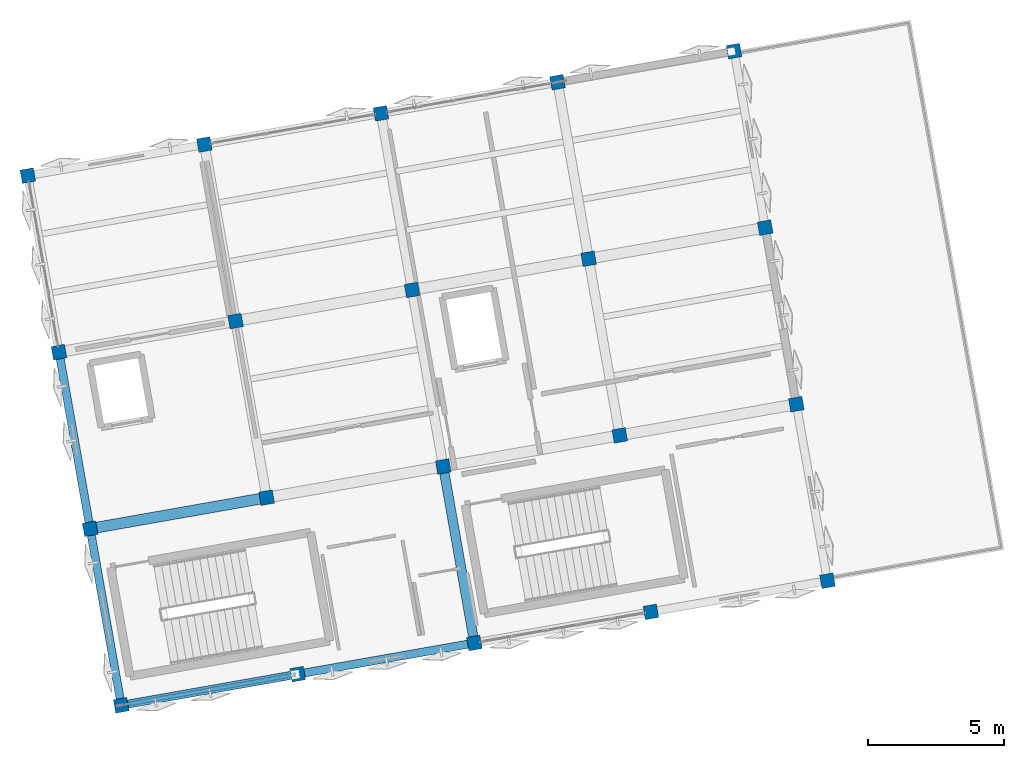
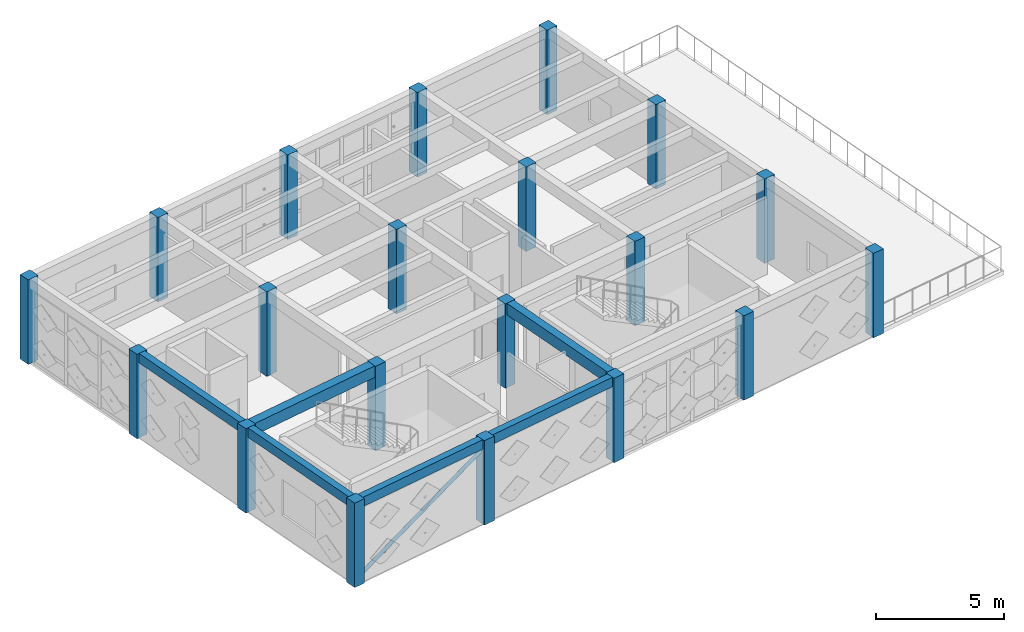
# One storey, part 1 of 13: 20 columns, 6 beams, 1 member.
"""IFC4 building model written with IfcOpenShell, lengths in metres."""

from ifc_helpers import new_model, si_unit, direction, frame, origin, origin_2d, place, context, subcontext, project, spatial, rectangle, hollow_circle, extrude, material, material_profile, profile_set, type_object, element, save


model = new_model("IFC4")

# Units and contexts
model_context = context("Model", 3, precision=1e-05, world=origin(), true_north=direction((0.0, 1.0)))
body_context = subcontext(model_context, "Body", "Model", "MODEL_VIEW")
ifc_project = project(units=[si_unit("LENGTHUNIT", "METRE"), si_unit("AREAUNIT", "SQUARE_METRE"), si_unit("VOLUMEUNIT", "CUBIC_METRE"), si_unit("PLANEANGLEUNIT", "RADIAN"), si_unit("MASSUNIT", "GRAM", prefix="KILO")], contexts=[model_context])

# Site, building, storey
site_placement = place(None, origin())
site = spatial("IfcSite", under=ifc_project, at=site_placement, CompositionType="ELEMENT")
building_placement = place(site_placement, origin())
building = spatial("IfcBuilding", under=site, at=building_placement, Name="Kharisveld Research Institute", CompositionType="ELEMENT")
storey_placement = place(building_placement, frame((0.0, 0.0, 45.0)))
storey = spatial("IfcBuildingStorey", under=building, at=storey_placement, Name="L10", CompositionType="ELEMENT", Elevation=45.0)

# Columns
ifc_material_1 = material(Name="Concrete C40/50", Category="concrete")
ifc_material_profile_1 = material_profile(ifc_material_1, rectangle(XDim=0.5, YDim=0.5, at=origin_2d()))
ifc_profile_set_1 = profile_set([ifc_material_profile_1], Name="Concrete C40/50")
column_type = type_object("IfcColumnType", Name="COL_RC_500", PredefinedType="COLUMN", material=ifc_profile_set_1)
for number, where, z_axis, x_axis, name in (
    (1, (5.199951171875, 35.010009765625, 0.0), (0.0, 0.0, 1.0), (0.984807753012, 0.173648177667, 0.0), "COL:V1:L10:U0V0"),
    (2, (4.053955078125, 41.509765625, 0.0), (0.0, 0.0, 1.0), (0.984807753012, 0.173648177667, 0.0), "COL:V1:L10:U0V1"),
    (3, (2.907958984375, 48.009521484375, 0.0), (0.0, 0.0, 1.0), (0.984807753012, 0.173648177667, 0.0), "COL:V1:L10:U0V2"),
    (4, (1.76171875, 54.50927734375, 0.0), (0.0, 0.0, 1.0), (0.984807753012, 0.173648177667, 0.0), "COL:V1:L10:U0V3"),
    (5, (11.69970703125, 36.156005859375, 0.0), (0.0, 0.0, 1.0), (0.984807753012, 0.173648177667, 0.0), "COL:V1:L10:U1V0"),
    (6, (10.5537109375, 42.65576171875, 0.0), (0.0, 0.0, 1.0), (0.984807753012, 0.173648177667, 0.0), "COL:V1:L10:U1V1"),
    (7, (9.407470703125, 49.155517578125, 0.0), (0.0, 0.0, 1.0), (0.984807753012, 0.173648177667, 0.0), "COL:V1:L10:U1V2"),
    (8, (8.261474609375, 55.6552734375, 0.0), (0.0, 0.0, 1.0), (0.984807753012, 0.173648177667, 0.0), "COL:V1:L10:U1V3"),
    (9, (18.199462890625, 37.30224609375, 0.0), (0.0, 0.0, 1.0), (0.984807753012, 0.173648177667, 0.0), "COL:V1:L10:U2V0"),
    (10, (17.053466796875, 43.802001953125, 0.0), (0.0, 0.0, 1.0), (0.984807753012, 0.173648177667, 0.0), "COL:V1:L10:U2V1"),
    (11, (15.9072265625, 50.301513671875, 0.0), (0.0, 0.0, 1.0), (0.984807753012, 0.173648177667, 0.0), "COL:V1:L10:U2V2"),
    (12, (14.76123046875, 56.80126953125, 0.0), (0.0, 0.0, 1.0), (0.984807753012, 0.173648177667, 0.0), "COL:V1:L10:U2V3"),
    (13, (24.69921875, 38.4482421875, 0.0), (0.0, 0.0, 1.0), (0.984807753012, 0.173648177667, 0.0), "COL:V1:L10:U3V0"),
    (14, (23.55322265625, 44.947998046875, 0.0), (0.0, 0.0, 1.0), (0.984807753012, 0.173648177667, 0.0), "COL:V1:L10:U3V1"),
    (15, (22.406982421875, 51.44775390625, 0.0), (0.0, 0.0, 1.0), (0.984807753012, 0.173648177667, 0.0), "COL:V1:L10:U3V2"),
    (16, (21.260986328125, 57.947509765625, 0.0), (0.0, 0.0, 1.0), (0.984807753012, 0.173648177667, 0.0), "COL:V1:L10:U3V3"),
    (17, (31.198974609375, 39.59423828125, 0.0), (0.0, 0.0, 1.0), (0.984807753012, 0.173648177667, 0.0), "COL:V1:L10:U4V0"),
    (18, (30.052734375, 46.093994140625, 0.0), (0.0, 0.0, 1.0), (0.984807753012, 0.173648177667, 0.0), "COL:V1:L10:U4V1"),
    (19, (28.90673828125, 52.59375, 0.0), (0.0, 0.0, 1.0), (0.984807753012, 0.173648177667, 0.0), "COL:V1:L10:U4V2"),
    (20, (27.7607421875, 59.093505859375, 0.0), (0.0, 0.0, 1.0), (0.984807753012, 0.173648177667, 0.0), "COL:V1:L10:U4V3"),
):
    element("IfcColumn", number, at=place(storey_placement, frame(where, z_axis=z_axis, x_axis=x_axis)), inside=storey, type_object=column_type, Name=name, PredefinedType="COLUMN", context=body_context, shape_type="SweptSolid", body=[
        extrude(rectangle(XDim=0.5, YDim=0.5, at=origin_2d()), origin(), (0.0, 0.0, 1.0), 4.02001953125),
    ])

# Beams
ifc_material_2 = material(Name="Concrete C40/50", Category="concrete")
ifc_material_profile_2 = material_profile(ifc_material_2, rectangle(XDim=0.35009765625, YDim=0.550048828125, at=origin_2d()))
ifc_profile_set_2 = profile_set([ifc_material_profile_2], Name="Concrete C40/50")
beam_type_1 = type_object("IfcBeamType", Name="BM_RC_350x550", PredefinedType="BEAM", material=ifc_profile_set_2)
beam_1_placement = place(storey_placement, frame((18.156005859375, 37.54833984375, 3.7451171875), z_axis=(-0.173659757005, 0.984805711192, 0.0), x_axis=(-0.984805711192, -0.173659757005, 0.0)))
element("IfcBeam", 21, at=beam_1_placement, inside=storey, type_object=beam_type_1, Name="BM:V1:L10:V2_0", PredefinedType="BEAM", context=body_context, shape_type="SweptSolid", body=[
    extrude(rectangle(XDim=0.35009765625, YDim=0.550048828125, at=origin_2d()), origin(), (0.0, 0.0, 1.0), 6.10009765625),
])
ifc_material_3 = material(Name="Concrete C40/50", Category="concrete")
ifc_material_profile_3 = material_profile(ifc_material_3, rectangle(XDim=0.39990234375, YDim=0.550048828125, at=origin_2d()))
ifc_profile_set_3 = profile_set([ifc_material_profile_3], Name="Concrete C40/50")
beam_type_2 = type_object("IfcBeamType", Name="BM_RC_400x550", PredefinedType="BEAM", material=ifc_profile_set_3)
beam_2_placement = place(storey_placement, frame((4.300048828125, 41.55322265625, 3.7451171875), z_axis=(0.984812555252, 0.173620940611, 0.0), x_axis=(-0.173620940611, 0.984812555252, 0.0)))
element("IfcBeam", 22, at=beam_2_placement, inside=storey, type_object=beam_type_2, Name="BM:V1:L10:U0_1", PredefinedType="BEAM", context=body_context, shape_type="SweptSolid", body=[
    extrude(rectangle(XDim=0.39990234375, YDim=0.550048828125, at=origin_2d()), origin(), (0.0, 0.0, 1.0), 6.099853515625),
])

# Member
ifc_material_4 = material(Name="Steel S355J2H", Category="steel")
ifc_material_profile_4 = material_profile(ifc_material_4, hollow_circle(Radius=0.084228515625, WallThickness=0.008056640625, at=origin_2d()))
ifc_profile_set_4 = profile_set([ifc_material_profile_4], Name="Steel S355J2H")
member_type = type_object("IfcMemberType", Name="BR_CHS168", PredefinedType="BRACE", material=ifc_profile_set_4)
member_placement = place(storey_placement, frame((5.298583984375, 35.02734375, 0.199951171875), z_axis=(0.876966834258, 0.154630966437, 0.454992786569), x_axis=(-0.173646056486, 0.984808127031, 0.0)))
element("IfcMember", 23, at=member_placement, inside=storey, type_object=member_type, Name="MEM:V1:L10:BR_0_0", PredefinedType="BRACE", context=body_context, shape_type="SweptSolid", body=[
    extrude(hollow_circle(Radius=0.084228515625, WallThickness=0.008056640625, at=origin_2d()), origin(), (0.0, 0.0, 1.0), 7.18701171875),
])

# Beams
ifc_material_5 = material(Name="Concrete C40/50", Category="concrete")
ifc_material_profile_5 = material_profile(ifc_material_5, rectangle(XDim=0.300048828125, YDim=0.449951171875, at=origin_2d()))
ifc_profile_set_5 = profile_set([ifc_material_profile_5], Name="Concrete C40/50")
beam_type_3 = type_object("IfcBeamType", Name="SP_RC_300x450", PredefinedType="SPANDREL", material=ifc_profile_set_5)
beam_3_placement = place(storey_placement, frame((5.4462890625, 35.053466796875, 3.794921875), z_axis=(0.984812555252, 0.173620940611, 0.0), x_axis=(-0.173620940611, 0.984812555252, 0.0)))
element("IfcBeam", 24, at=beam_3_placement, inside=storey, type_object=beam_type_3, Name="BM:V1:L10:U0_0", PredefinedType="SPANDREL", context=body_context, shape_type="SweptSolid", body=[
    extrude(rectangle(XDim=0.300048828125, YDim=0.449951171875, at=origin_2d()), origin(), (0.0, 0.0, 1.0), 6.099853515625),
])
beam_4_placement = place(storey_placement, frame((11.946044921875, 36.199462890625, 3.794921875), z_axis=(0.984805711192, 0.173659757005, 0.0), x_axis=(-0.173659757005, 0.984805711192, 0.0)))
element("IfcBeam", 25, at=beam_4_placement, inside=storey, type_object=beam_type_3, Name="BM:V1:L10:U1_0", PredefinedType="SPANDREL", context=body_context, shape_type="SweptSolid", body=[
    extrude(rectangle(XDim=0.300048828125, YDim=0.449951171875, at=origin_2d()), origin(), (0.0, 0.0, 1.0), 6.10009765625),
])
beam_5_placement = place(storey_placement, frame((5.156494140625, 35.256103515625, 3.794921875), z_axis=(-0.173620940611, 0.984812555252, 0.0), x_axis=(-0.984812555252, -0.173620940611, 0.0)))
element("IfcBeam", 26, at=beam_5_placement, inside=storey, type_object=beam_type_3, Name="BM:V1:L10:V0_0", PredefinedType="SPANDREL", context=body_context, shape_type="SweptSolid", body=[
    extrude(rectangle(XDim=0.300048828125, YDim=0.449951171875, at=origin_2d()), origin(), (0.0, 0.0, 1.0), 6.099853515625),
])
beam_6_placement = place(storey_placement, frame((4.010498046875, 41.755859375, 3.794921875), z_axis=(-0.173659757005, 0.984805711192, 0.0), x_axis=(-0.984805711192, -0.173659757005, 0.0)))
element("IfcBeam", 27, at=beam_6_placement, inside=storey, type_object=beam_type_3, Name="BM:V1:L10:V0_1", PredefinedType="SPANDREL", context=body_context, shape_type="SweptSolid", body=[
    extrude(rectangle(XDim=0.300048828125, YDim=0.449951171875, at=origin_2d()), origin(), (0.0, 0.0, 1.0), 6.10009765625),
])

save(model, "model.ifc")
